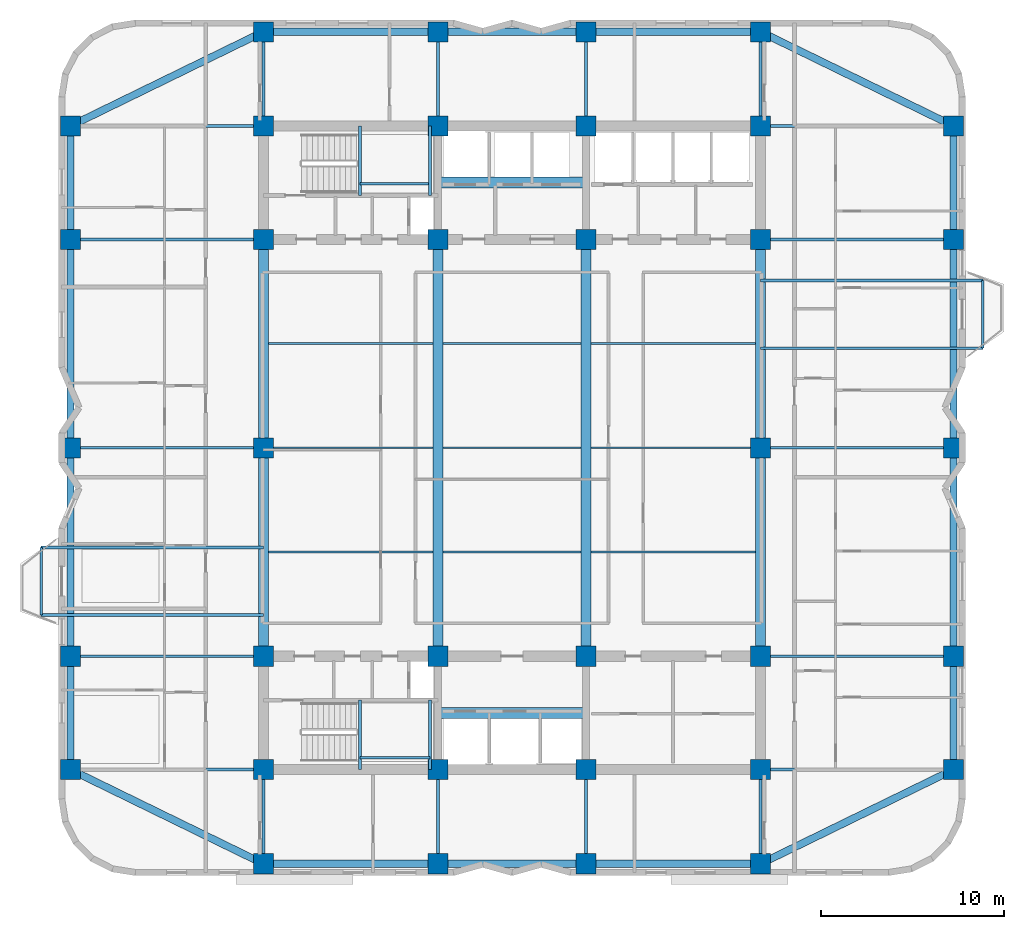
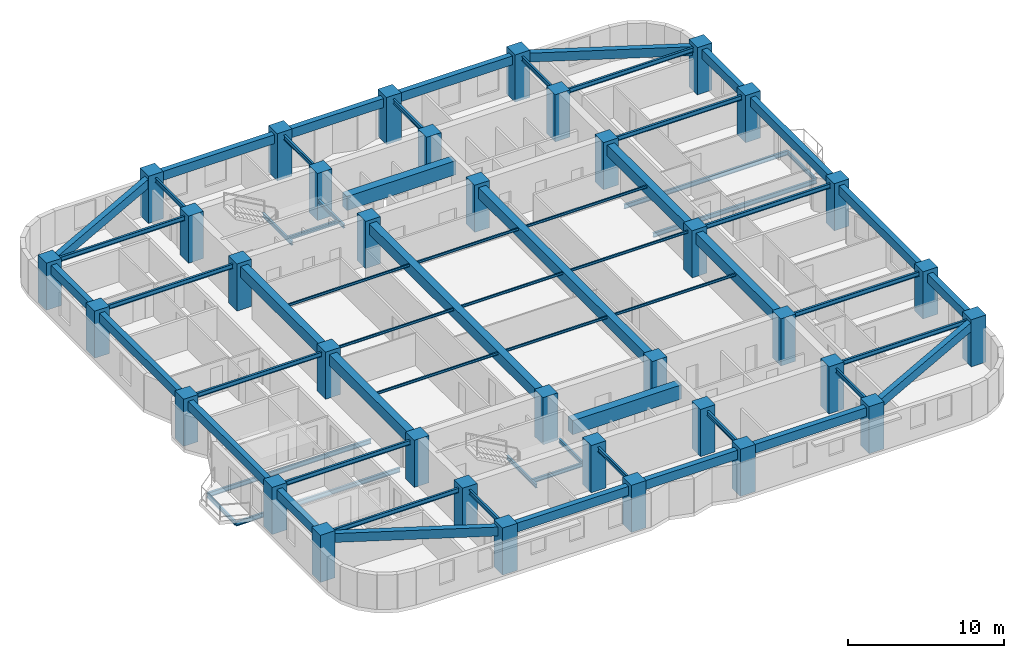
# One storey, part 1 of 10: 65 beams, 36 columns.
"""IFC4 building model written with IfcOpenShell, lengths in metres."""

from ifc_helpers import new_model, si_unit, direction, frame, origin, origin_2d, place, context, subcontext, project, spatial, rectangle, i_section, extrude, material, material_profile, profile_set, type_object, element, save


model = new_model("IFC4")

# Units and contexts
model_context = context("Model", 3, precision=1e-05, world=origin(), true_north=direction((0.0, 1.0)))
body_context = subcontext(model_context, "Body", "Model", "MODEL_VIEW")
ifc_project = project(units=[si_unit("LENGTHUNIT", "METRE"), si_unit("AREAUNIT", "SQUARE_METRE"), si_unit("VOLUMEUNIT", "CUBIC_METRE"), si_unit("PLANEANGLEUNIT", "RADIAN"), si_unit("MASSUNIT", "GRAM", prefix="KILO")], contexts=[model_context])

# Site, building, storey
site_placement = place(None, origin())
site = spatial("IfcSite", under=ifc_project, at=site_placement, CompositionType="ELEMENT")
building_placement = place(site_placement, origin())
building = spatial("IfcBuilding", under=site, at=building_placement, Name="Svetorya Sky Lyceum", CompositionType="ELEMENT")
storey_placement = place(building_placement, frame((0.0, 0.0, 95.699951171875)))
storey = spatial("IfcBuildingStorey", under=building, at=storey_placement, Name="L23", CompositionType="ELEMENT", Elevation=95.699951171875)

# Columns
ifc_material_1 = material(Name="Concrete C50/60", Category="concrete")
ifc_material_profile_1 = material_profile(ifc_material_1, rectangle(XDim=1.10009765625, YDim=1.10009765625, at=origin_2d()), Name="RC COL 1100x1100")
ifc_profile_set_1 = profile_set([ifc_material_profile_1], Name="Concrete C50/60")
column_type = type_object("IfcColumnType", Name="COL-RC-1100", PredefinedType="COLUMN", material=ifc_profile_set_1)
for number, where, z_axis, x_axis, name in (
    (1, (25.60009765625, 10.60009765625, 0.0), (0.0, 0.0, 1.0), (1.0, 0.0, 0.0), "L23 Core Column CS-11"),
    (2, (25.60009765625, 16.800048828125, 0.0), (0.0, 0.0, 1.0), (1.0, 0.0, 0.0), "L23 Core Column CS-12"),
    (3, (35.14990234375, 10.60009765625, 0.0), (0.0, 0.0, 1.0), (1.0, 0.0, 0.0), "L23 Core Column CS-21"),
    (4, (35.14990234375, 16.800048828125, 0.0), (0.0, 0.0, 1.0), (1.0, 0.0, 0.0), "L23 Core Column CS-22"),
    (5, (43.25, 10.60009765625, 0.0), (0.0, 0.0, 1.0), (1.0, 0.0, 0.0), "L23 Core Column CS-31"),
    (6, (43.25, 16.800048828125, 0.0), (0.0, 0.0, 1.0), (1.0, 0.0, 0.0), "L23 Core Column CS-32"),
    (7, (52.800048828125, 10.60009765625, 0.0), (0.0, 0.0, 1.0), (1.0, 0.0, 0.0), "L23 Core Column CS-41"),
    (8, (52.800048828125, 16.800048828125, 0.0), (0.0, 0.0, 1.0), (1.0, 0.0, 0.0), "L23 Core Column CS-42"),
    (9, (25.60009765625, 39.60009765625, 0.0), (0.0, 0.0, 1.0), (1.0, 0.0, 0.0), "L23 Core Column CN-11"),
    (10, (25.60009765625, 45.800048828125, 0.0), (0.0, 0.0, 1.0), (1.0, 0.0, 0.0), "L23 Core Column CN-12"),
    (11, (35.14990234375, 39.60009765625, 0.0), (0.0, 0.0, 1.0), (1.0, 0.0, 0.0), "L23 Core Column CN-21"),
    (12, (35.14990234375, 45.800048828125, 0.0), (0.0, 0.0, 1.0), (1.0, 0.0, 0.0), "L23 Core Column CN-22"),
    (13, (43.25, 39.60009765625, 0.0), (0.0, 0.0, 1.0), (1.0, 0.0, 0.0), "L23 Core Column CN-31"),
    (14, (43.25, 45.800048828125, 0.0), (0.0, 0.0, 1.0), (1.0, 0.0, 0.0), "L23 Core Column CN-32"),
    (15, (52.800048828125, 39.60009765625, 0.0), (0.0, 0.0, 1.0), (1.0, 0.0, 0.0), "L23 Core Column CN-41"),
    (16, (52.800048828125, 45.800048828125, 0.0), (0.0, 0.0, 1.0), (1.0, 0.0, 0.0), "L23 Core Column CN-42"),
    (17, (25.60009765625, 28.199951171875, 0.0), (0.0, 0.0, 1.0), (1.0, 0.0, 0.0), "L23 Core Column CM-W"),
    (18, (52.800048828125, 28.199951171875, 0.0), (0.0, 0.0, 1.0), (1.0, 0.0, 0.0), "L23 Core Column CM-E"),
    (19, (25.60009765625, 5.449951171875, 0.0), (0.0, 0.0, 1.0), (1.0, 0.0, 0.0), "L23 Perimeter Column S1"),
    (20, (25.60009765625, 50.949951171875, 0.0), (0.0, 0.0, 1.0), (1.0, 0.0, 0.0), "L23 Perimeter Column N1"),
    (21, (35.14990234375, 5.449951171875, 0.0), (0.0, 0.0, 1.0), (1.0, 0.0, 0.0), "L23 Perimeter Column S2"),
    (22, (35.14990234375, 50.949951171875, 0.0), (0.0, 0.0, 1.0), (1.0, 0.0, 0.0), "L23 Perimeter Column N2"),
    (23, (43.25, 5.449951171875, 0.0), (0.0, 0.0, 1.0), (1.0, 0.0, 0.0), "L23 Perimeter Column S3"),
    (24, (43.25, 50.949951171875, 0.0), (0.0, 0.0, 1.0), (1.0, 0.0, 0.0), "L23 Perimeter Column N3"),
    (25, (52.800048828125, 5.449951171875, 0.0), (0.0, 0.0, 1.0), (1.0, 0.0, 0.0), "L23 Perimeter Column S4"),
    (26, (52.800048828125, 50.949951171875, 0.0), (0.0, 0.0, 1.0), (1.0, 0.0, 0.0), "L23 Perimeter Column N4"),
    (27, (15.050048828125, 10.60009765625, 0.0), (0.0, 0.0, 1.0), (1.0, 0.0, 0.0), "L23 Perimeter Column W1"),
    (28, (63.35009765625, 10.60009765625, 0.0), (0.0, 0.0, 1.0), (1.0, 0.0, 0.0), "L23 Perimeter Column E1"),
    (29, (15.050048828125, 16.800048828125, 0.0), (0.0, 0.0, 1.0), (1.0, 0.0, 0.0), "L23 Perimeter Column W2"),
    (30, (63.35009765625, 16.800048828125, 0.0), (0.0, 0.0, 1.0), (1.0, 0.0, 0.0), "L23 Perimeter Column E2"),
    (31, (15.050048828125, 28.199951171875, 0.0), (0.0, 0.0, 1.0), (1.0, 0.0, 0.0), "L23 Perimeter Column W3"),
    (32, (63.35009765625, 28.199951171875, 0.0), (0.0, 0.0, 1.0), (1.0, 0.0, 0.0), "L23 Perimeter Column E3"),
    (33, (15.050048828125, 39.60009765625, 0.0), (0.0, 0.0, 1.0), (1.0, 0.0, 0.0), "L23 Perimeter Column W4"),
    (34, (63.35009765625, 39.60009765625, 0.0), (0.0, 0.0, 1.0), (1.0, 0.0, 0.0), "L23 Perimeter Column E4"),
    (35, (15.050048828125, 45.800048828125, 0.0), (0.0, 0.0, 1.0), (1.0, 0.0, 0.0), "L23 Perimeter Column W5"),
    (36, (63.35009765625, 45.800048828125, 0.0), (0.0, 0.0, 1.0), (1.0, 0.0, 0.0), "L23 Perimeter Column E5"),
):
    element("IfcColumn", number, at=place(storey_placement, frame(where, z_axis=z_axis, x_axis=x_axis)), inside=storey, type_object=column_type, Name=name, PredefinedType="COLUMN", context=body_context, shape_type="SweptSolid", body=[
        extrude(rectangle(XDim=1.10009765625, YDim=1.10009765625, at=origin_2d()), origin(), (0.0, 0.0, 1.0), 3.699951171875),
    ])

# Beams
ifc_material_2 = material(Name="Concrete C60/75", Category="concrete")
ifc_material_profile_2 = material_profile(ifc_material_2, rectangle(XDim=0.60009765625, YDim=1.10009765625, at=origin_2d()), Name="RC COUPLING 600x1100")
ifc_profile_set_2 = profile_set([ifc_material_profile_2], Name="Concrete C60/75")
beam_type_1 = type_object("IfcBeamType", Name="BM-CPL-1100", PredefinedType="LINTEL", material=ifc_profile_set_2)
for number, where, z_axis, x_axis, name in (
    (37, (35.14990234375, 13.699951171875, 2.8701171875), (1.0, 0.0, 0.0), (0.0, 1.0, 0.0), "L23 SC Core Coupling Beam"),
    (38, (35.14990234375, 42.699951171875, 2.8701171875), (1.0, 0.0, 0.0), (0.0, 1.0, 0.0), "L23 NC Core Coupling Beam"),
):
    element("IfcBeam", number, at=place(storey_placement, frame(where, z_axis=z_axis, x_axis=x_axis)), inside=storey, type_object=beam_type_1, Name=name, PredefinedType="LINTEL", context=body_context, shape_type="SweptSolid", body=[
        extrude(rectangle(XDim=0.60009765625, YDim=1.10009765625, at=origin_2d()), origin(), (0.0, 0.0, 1.0), 8.10009765625),
    ])
ifc_material_profile_3 = material_profile(ifc_material_1, rectangle(XDim=0.550048828125, YDim=0.85009765625, at=origin_2d()), Name="RC BEAM 550x850")
ifc_profile_set_3 = profile_set([ifc_material_profile_3], Name="Concrete C50/60")
beam_type_2 = type_object("IfcBeamType", Name="BM-RC-850", PredefinedType="BEAM", material=ifc_profile_set_3)
beam_1_placement = place(storey_placement, frame((25.60009765625, 16.800048828125, 2.9951171875), z_axis=(0.0, 1.0, 0.0), x_axis=(-1.0, 0.0, 0.0)))
element("IfcBeam", 39, at=beam_1_placement, inside=storey, type_object=beam_type_2, Name="L23 Central Bay Primary Girder CG-1A", PredefinedType="BEAM", context=body_context, shape_type="SweptSolid", body=[
    extrude(rectangle(XDim=0.550048828125, YDim=0.85009765625, at=origin_2d()), origin(), (0.0, 0.0, 1.0), 11.39990234375),
])
beam_2_placement = place(storey_placement, frame((25.60009765625, 28.199951171875, 2.9951171875), z_axis=(0.0, 1.0, 0.0), x_axis=(-1.0, 0.0, 0.0)))
element("IfcBeam", 40, at=beam_2_placement, inside=storey, type_object=beam_type_2, Name="L23 Central Bay Primary Girder CG-1B", PredefinedType="BEAM", context=body_context, shape_type="SweptSolid", body=[
    extrude(rectangle(XDim=0.550048828125, YDim=0.85009765625, at=origin_2d()), origin(), (0.0, 0.0, 1.0), 11.400146484375),
])
for number, where, z_axis, x_axis, name in (
    (41, (35.14990234375, 16.800048828125, 2.9951171875), (0.0, 1.0, 0.0), (-1.0, 0.0, 0.0), "L23 Central Bay Primary Girder CG-2"),
    (42, (43.25, 16.800048828125, 2.9951171875), (0.0, 1.0, 0.0), (-1.0, 0.0, 0.0), "L23 Central Bay Primary Girder CG-3"),
):
    element("IfcBeam", number, at=place(storey_placement, frame(where, z_axis=z_axis, x_axis=x_axis)), inside=storey, type_object=beam_type_2, Name=name, PredefinedType="BEAM", context=body_context, shape_type="SweptSolid", body=[
        extrude(rectangle(XDim=0.550048828125, YDim=0.85009765625, at=origin_2d()), origin(), (0.0, 0.0, 1.0), 22.800048828125),
    ])
beam_3_placement = place(storey_placement, frame((52.800048828125, 16.800048828125, 2.9951171875), z_axis=(0.0, 1.0, 0.0), x_axis=(-1.0, 0.0, 0.0)))
element("IfcBeam", 43, at=beam_3_placement, inside=storey, type_object=beam_type_2, Name="L23 Central Bay Primary Girder CG-4A", PredefinedType="BEAM", context=body_context, shape_type="SweptSolid", body=[
    extrude(rectangle(XDim=0.550048828125, YDim=0.85009765625, at=origin_2d()), origin(), (0.0, 0.0, 1.0), 11.39990234375),
])
beam_4_placement = place(storey_placement, frame((52.800048828125, 28.199951171875, 2.9951171875), z_axis=(0.0, 1.0, 0.0), x_axis=(-1.0, 0.0, 0.0)))
element("IfcBeam", 44, at=beam_4_placement, inside=storey, type_object=beam_type_2, Name="L23 Central Bay Primary Girder CG-4B", PredefinedType="BEAM", context=body_context, shape_type="SweptSolid", body=[
    extrude(rectangle(XDim=0.550048828125, YDim=0.85009765625, at=origin_2d()), origin(), (0.0, 0.0, 1.0), 11.400146484375),
])
ifc_material_profile_4 = material_profile(ifc_material_1, rectangle(XDim=0.39990234375, YDim=0.699951171875, at=origin_2d()), Name="RC SPANDREL 400x700")
ifc_profile_set_4 = profile_set([ifc_material_profile_4], Name="Concrete C50/60")
beam_type_3 = type_object("IfcBeamType", Name="BM-SPN-700", PredefinedType="SPANDREL", material=ifc_profile_set_4)
beam_5_placement = place(storey_placement, frame((25.60009765625, 5.449951171875, 3.070068359375), z_axis=(1.0, 0.0, 0.0), x_axis=(0.0, 1.0, 0.0)))
element("IfcBeam", 45, at=beam_5_placement, inside=storey, type_object=beam_type_3, Name="L23 South Spandrel 1", PredefinedType="SPANDREL", context=body_context, shape_type="SweptSolid", body=[
    extrude(rectangle(XDim=0.39990234375, YDim=0.699951171875, at=origin_2d()), origin(), (0.0, 0.0, 1.0), 9.5498046875),
])
beam_6_placement = place(storey_placement, frame((35.14990234375, 5.449951171875, 3.070068359375), z_axis=(1.0, 0.0, 0.0), x_axis=(0.0, 1.0, 0.0)))
element("IfcBeam", 46, at=beam_6_placement, inside=storey, type_object=beam_type_3, Name="L23 South Spandrel 2", PredefinedType="SPANDREL", context=body_context, shape_type="SweptSolid", body=[
    extrude(rectangle(XDim=0.39990234375, YDim=0.699951171875, at=origin_2d()), origin(), (0.0, 0.0, 1.0), 8.10009765625),
])
beam_7_placement = place(storey_placement, frame((43.25, 5.449951171875, 3.070068359375), z_axis=(1.0, 0.0, 0.0), x_axis=(0.0, 1.0, 0.0)))
element("IfcBeam", 47, at=beam_7_placement, inside=storey, type_object=beam_type_3, Name="L23 South Spandrel 3", PredefinedType="SPANDREL", context=body_context, shape_type="SweptSolid", body=[
    extrude(rectangle(XDim=0.39990234375, YDim=0.699951171875, at=origin_2d()), origin(), (0.0, 0.0, 1.0), 9.550048828125),
])
beam_8_placement = place(storey_placement, frame((25.60009765625, 50.949951171875, 3.070068359375), z_axis=(1.0, 0.0, 0.0), x_axis=(0.0, 1.0, 0.0)))
element("IfcBeam", 48, at=beam_8_placement, inside=storey, type_object=beam_type_3, Name="L23 North Spandrel 1", PredefinedType="SPANDREL", context=body_context, shape_type="SweptSolid", body=[
    extrude(rectangle(XDim=0.39990234375, YDim=0.699951171875, at=origin_2d()), origin(), (0.0, 0.0, 1.0), 9.5498046875),
])
beam_9_placement = place(storey_placement, frame((35.14990234375, 50.949951171875, 3.070068359375), z_axis=(1.0, 0.0, 0.0), x_axis=(0.0, 1.0, 0.0)))
element("IfcBeam", 49, at=beam_9_placement, inside=storey, type_object=beam_type_3, Name="L23 North Spandrel 2", PredefinedType="SPANDREL", context=body_context, shape_type="SweptSolid", body=[
    extrude(rectangle(XDim=0.39990234375, YDim=0.699951171875, at=origin_2d()), origin(), (0.0, 0.0, 1.0), 8.10009765625),
])
beam_10_placement = place(storey_placement, frame((43.25, 50.949951171875, 3.070068359375), z_axis=(1.0, 0.0, 0.0), x_axis=(0.0, 1.0, 0.0)))
element("IfcBeam", 50, at=beam_10_placement, inside=storey, type_object=beam_type_3, Name="L23 North Spandrel 3", PredefinedType="SPANDREL", context=body_context, shape_type="SweptSolid", body=[
    extrude(rectangle(XDim=0.39990234375, YDim=0.699951171875, at=origin_2d()), origin(), (0.0, 0.0, 1.0), 9.550048828125),
])
for number, where, z_axis, x_axis, name in (
    (51, (25.60009765625, 5.449951171875, 3.070068359375), (-0.898641495694, 0.438683783854, 0.0), (-0.438683783854, -0.898641495694, 0.0), "L23 Corner Spandrel 1"),
    (52, (52.800048828125, 5.449951171875, 3.070068359375), (0.898641495694, 0.438683783854, 0.0), (-0.438683783854, 0.898641495694, 0.0), "L23 Corner Spandrel 2"),
    (53, (63.35009765625, 45.800048828125, 3.070068359375), (-0.898649693653, 0.438666989978, 0.0), (-0.438666989978, -0.898649693653, 0.0), "L23 Corner Spandrel 3"),
    (54, (15.050048828125, 45.800048828125, 3.070068359375), (0.898649693653, 0.438666989978, 0.0), (-0.438666989978, 0.898649693653, 0.0), "L23 Corner Spandrel 4"),
):
    element("IfcBeam", number, at=place(storey_placement, frame(where, z_axis=z_axis, x_axis=x_axis)), inside=storey, type_object=beam_type_3, Name=name, PredefinedType="SPANDREL", context=body_context, shape_type="SweptSolid", body=[
        extrude(rectangle(XDim=0.39990234375, YDim=0.699951171875, at=origin_2d()), origin(), (0.0, 0.0, 1.0), 11.739990234375),
    ])
beam_11_placement = place(storey_placement, frame((15.050048828125, 10.60009765625, 3.070068359375), z_axis=(0.0, 1.0, 0.0), x_axis=(-1.0, 0.0, 0.0)))
element("IfcBeam", 55, at=beam_11_placement, inside=storey, type_object=beam_type_3, Name="L23 West Spandrel 1", PredefinedType="SPANDREL", context=body_context, shape_type="SweptSolid", body=[
    extrude(rectangle(XDim=0.39990234375, YDim=0.699951171875, at=origin_2d()), origin(), (0.0, 0.0, 1.0), 6.199951171875),
])
beam_12_placement = place(storey_placement, frame((15.050048828125, 16.800048828125, 3.070068359375), z_axis=(0.0, 1.0, 0.0), x_axis=(-1.0, 0.0, 0.0)))
element("IfcBeam", 56, at=beam_12_placement, inside=storey, type_object=beam_type_3, Name="L23 West Spandrel 2", PredefinedType="SPANDREL", context=body_context, shape_type="SweptSolid", body=[
    extrude(rectangle(XDim=0.39990234375, YDim=0.699951171875, at=origin_2d()), origin(), (0.0, 0.0, 1.0), 11.39990234375),
])
beam_13_placement = place(storey_placement, frame((15.050048828125, 28.199951171875, 3.070068359375), z_axis=(0.0, 1.0, 0.0), x_axis=(-1.0, 0.0, 0.0)))
element("IfcBeam", 57, at=beam_13_placement, inside=storey, type_object=beam_type_3, Name="L23 West Spandrel 3", PredefinedType="SPANDREL", context=body_context, shape_type="SweptSolid", body=[
    extrude(rectangle(XDim=0.39990234375, YDim=0.699951171875, at=origin_2d()), origin(), (0.0, 0.0, 1.0), 11.400146484375),
])
for number, where, z_axis, x_axis, name in (
    (58, (15.050048828125, 39.60009765625, 3.070068359375), (0.0, 1.0, 0.0), (-1.0, 0.0, 0.0), "L23 West Spandrel 4"),
    (59, (63.35009765625, 10.60009765625, 3.070068359375), (0.0, 1.0, 0.0), (-1.0, 0.0, 0.0), "L23 East Spandrel 1"),
):
    element("IfcBeam", number, at=place(storey_placement, frame(where, z_axis=z_axis, x_axis=x_axis)), inside=storey, type_object=beam_type_3, Name=name, PredefinedType="SPANDREL", context=body_context, shape_type="SweptSolid", body=[
        extrude(rectangle(XDim=0.39990234375, YDim=0.699951171875, at=origin_2d()), origin(), (0.0, 0.0, 1.0), 6.199951171875),
    ])
beam_14_placement = place(storey_placement, frame((63.35009765625, 16.800048828125, 3.070068359375), z_axis=(0.0, 1.0, 0.0), x_axis=(-1.0, 0.0, 0.0)))
element("IfcBeam", 60, at=beam_14_placement, inside=storey, type_object=beam_type_3, Name="L23 East Spandrel 2", PredefinedType="SPANDREL", context=body_context, shape_type="SweptSolid", body=[
    extrude(rectangle(XDim=0.39990234375, YDim=0.699951171875, at=origin_2d()), origin(), (0.0, 0.0, 1.0), 11.39990234375),
])
beam_15_placement = place(storey_placement, frame((63.35009765625, 28.199951171875, 3.070068359375), z_axis=(0.0, 1.0, 0.0), x_axis=(-1.0, 0.0, 0.0)))
element("IfcBeam", 61, at=beam_15_placement, inside=storey, type_object=beam_type_3, Name="L23 East Spandrel 3", PredefinedType="SPANDREL", context=body_context, shape_type="SweptSolid", body=[
    extrude(rectangle(XDim=0.39990234375, YDim=0.699951171875, at=origin_2d()), origin(), (0.0, 0.0, 1.0), 11.400146484375),
])
beam_16_placement = place(storey_placement, frame((63.35009765625, 39.60009765625, 3.070068359375), z_axis=(0.0, 1.0, 0.0), x_axis=(-1.0, 0.0, 0.0)))
element("IfcBeam", 62, at=beam_16_placement, inside=storey, type_object=beam_type_3, Name="L23 East Spandrel 4", PredefinedType="SPANDREL", context=body_context, shape_type="SweptSolid", body=[
    extrude(rectangle(XDim=0.39990234375, YDim=0.699951171875, at=origin_2d()), origin(), (0.0, 0.0, 1.0), 6.199951171875),
])
ifc_material_3 = material(Name="Steel S355", Category="steel")
ifc_material_profile_5 = material_profile(ifc_material_3, i_section(OverallWidth=0.10009765625, OverallDepth=0.199951171875, WebThickness=0.005615234375, FlangeThickness=0.008544921875, at=origin_2d()), Name="GOST 20B1")
ifc_profile_set_5 = profile_set([ifc_material_profile_5], Name="Steel S355")
beam_type_4 = type_object("IfcBeamType", Name="BM-STL-20B1", PredefinedType="JOIST", material=ifc_profile_set_5)
beam_17_placement = place(storey_placement, frame((25.875, 22.5, 3.320068359375), z_axis=(1.0, 0.0, 0.0), x_axis=(0.0, 1.0, 0.0)))
element("IfcBeam", 63, at=beam_17_placement, inside=storey, type_object=beam_type_4, Name="L23 Central Floor Joist CJ-1.1", PredefinedType="JOIST", context=body_context, shape_type="SweptSolid", body=[
    extrude(i_section(OverallWidth=0.10009765625, OverallDepth=0.199951171875, WebThickness=0.005615234375, FlangeThickness=0.008544921875, at=origin_2d()), origin(), (0.0, 0.0, 1.0), 9.0),
])
beam_18_placement = place(storey_placement, frame((35.425048828125, 22.5, 3.320068359375), z_axis=(1.0, 0.0, 0.0), x_axis=(0.0, 1.0, 0.0)))
element("IfcBeam", 64, at=beam_18_placement, inside=storey, type_object=beam_type_4, Name="L23 Central Floor Joist CJ-1.2", PredefinedType="JOIST", context=body_context, shape_type="SweptSolid", body=[
    extrude(i_section(OverallWidth=0.10009765625, OverallDepth=0.199951171875, WebThickness=0.005615234375, FlangeThickness=0.008544921875, at=origin_2d()), origin(), (0.0, 0.0, 1.0), 7.550048828125),
])
for number, where, z_axis, x_axis, name in (
    (65, (43.52490234375, 22.5, 3.320068359375), (1.0, 0.0, 0.0), (0.0, 1.0, 0.0), "L23 Central Floor Joist CJ-1.3"),
    (66, (25.875, 28.199951171875, 3.320068359375), (1.0, 0.0, 0.0), (0.0, 1.0, 0.0), "L23 Central Floor Joist CJ-2.1"),
):
    element("IfcBeam", number, at=place(storey_placement, frame(where, z_axis=z_axis, x_axis=x_axis)), inside=storey, type_object=beam_type_4, Name=name, PredefinedType="JOIST", context=body_context, shape_type="SweptSolid", body=[
        extrude(i_section(OverallWidth=0.10009765625, OverallDepth=0.199951171875, WebThickness=0.005615234375, FlangeThickness=0.008544921875, at=origin_2d()), origin(), (0.0, 0.0, 1.0), 9.0),
    ])
beam_19_placement = place(storey_placement, frame((35.425048828125, 28.199951171875, 3.320068359375), z_axis=(1.0, 0.0, 0.0), x_axis=(0.0, 1.0, 0.0)))
element("IfcBeam", 67, at=beam_19_placement, inside=storey, type_object=beam_type_4, Name="L23 Central Floor Joist CJ-2.2", PredefinedType="JOIST", context=body_context, shape_type="SweptSolid", body=[
    extrude(i_section(OverallWidth=0.10009765625, OverallDepth=0.199951171875, WebThickness=0.005615234375, FlangeThickness=0.008544921875, at=origin_2d()), origin(), (0.0, 0.0, 1.0), 7.550048828125),
])
for number, where, z_axis, x_axis, name in (
    (68, (43.52490234375, 28.199951171875, 3.320068359375), (1.0, 0.0, 0.0), (0.0, 1.0, 0.0), "L23 Central Floor Joist CJ-2.3"),
    (69, (25.875, 33.89990234375, 3.320068359375), (1.0, 0.0, 0.0), (0.0, 1.0, 0.0), "L23 Central Floor Joist CJ-3.1"),
):
    element("IfcBeam", number, at=place(storey_placement, frame(where, z_axis=z_axis, x_axis=x_axis)), inside=storey, type_object=beam_type_4, Name=name, PredefinedType="JOIST", context=body_context, shape_type="SweptSolid", body=[
        extrude(i_section(OverallWidth=0.10009765625, OverallDepth=0.199951171875, WebThickness=0.005615234375, FlangeThickness=0.008544921875, at=origin_2d()), origin(), (0.0, 0.0, 1.0), 9.0),
    ])
beam_20_placement = place(storey_placement, frame((35.425048828125, 33.89990234375, 3.320068359375), z_axis=(1.0, 0.0, 0.0), x_axis=(0.0, 1.0, 0.0)))
element("IfcBeam", 70, at=beam_20_placement, inside=storey, type_object=beam_type_4, Name="L23 Central Floor Joist CJ-3.2", PredefinedType="JOIST", context=body_context, shape_type="SweptSolid", body=[
    extrude(i_section(OverallWidth=0.10009765625, OverallDepth=0.199951171875, WebThickness=0.005615234375, FlangeThickness=0.008544921875, at=origin_2d()), origin(), (0.0, 0.0, 1.0), 7.550048828125),
])
beam_21_placement = place(storey_placement, frame((43.52490234375, 33.89990234375, 3.320068359375), z_axis=(1.0, 0.0, 0.0), x_axis=(0.0, 1.0, 0.0)))
element("IfcBeam", 71, at=beam_21_placement, inside=storey, type_object=beam_type_4, Name="L23 Central Floor Joist CJ-3.3", PredefinedType="JOIST", context=body_context, shape_type="SweptSolid", body=[
    extrude(i_section(OverallWidth=0.10009765625, OverallDepth=0.199951171875, WebThickness=0.005615234375, FlangeThickness=0.008544921875, at=origin_2d()), origin(), (0.0, 0.0, 1.0), 9.0),
])
ifc_material_profile_6 = material_profile(ifc_material_3, i_section(OverallWidth=0.14990234375, OverallDepth=0.299072265625, WebThickness=0.006591796875, FlangeThickness=0.010498046875, at=origin_2d()), Name="GOST 30B2")
ifc_profile_set_6 = profile_set([ifc_material_profile_6], Name="Steel S355")
beam_type_5 = type_object("IfcBeamType", Name="BM-STL-30B2", PredefinedType="JOIST", material=ifc_profile_set_6)
beam_22_placement = place(storey_placement, frame((13.449951171875, 19.050048828125, -0.454345703125), z_axis=(0.0, 1.0, 0.0), x_axis=(-1.0, 0.0, 0.0)))
element("IfcBeam", 72, at=beam_22_placement, inside=storey, type_object=beam_type_5, Name="L23 Balcony Edge Tie BAL-W1", PredefinedType="JOIST", context=body_context, shape_type="SweptSolid", body=[
    extrude(i_section(OverallWidth=0.14990234375, OverallDepth=0.299072265625, WebThickness=0.006591796875, FlangeThickness=0.010498046875, at=origin_2d()), origin(), (0.0, 0.0, 1.0), 3.699951171875),
])
beam_23_placement = place(storey_placement, frame((64.949951171875, 33.64990234375, -0.454345703125), z_axis=(0.0, 1.0, 0.0), x_axis=(-1.0, 0.0, 0.0)))
element("IfcBeam", 73, at=beam_23_placement, inside=storey, type_object=beam_type_5, Name="L23 Balcony Edge Tie BAL-E1", PredefinedType="JOIST", context=body_context, shape_type="SweptSolid", body=[
    extrude(i_section(OverallWidth=0.14990234375, OverallDepth=0.299072265625, WebThickness=0.006591796875, FlangeThickness=0.010498046875, at=origin_2d()), origin(), (0.0, 0.0, 1.0), 3.7001953125),
])
for number, where, z_axis, x_axis, name in (
    (74, (30.8798828125, 10.60009765625, 1.50048828125), (0.0, 1.0, 0.0), (-1.0, 0.0, 0.0), "L23 Stair ST-S Half-Landing Support Beam 27.1"),
    (75, (34.719970703125, 10.60009765625, 1.50048828125), (0.0, 1.0, 0.0), (-1.0, 0.0, 0.0), "L23 Stair ST-S Half-Landing Support Beam 27.2"),
):
    element("IfcBeam", number, at=place(storey_placement, frame(where, z_axis=z_axis, x_axis=x_axis)), inside=storey, type_object=beam_type_5, Name=name, PredefinedType="JOIST", context=body_context, shape_type="SweptSolid", body=[
        extrude(i_section(OverallWidth=0.14990234375, OverallDepth=0.299072265625, WebThickness=0.006591796875, FlangeThickness=0.010498046875, at=origin_2d()), origin(), (0.0, 0.0, 1.0), 3.7998046875),
    ])
beam_24_placement = place(storey_placement, frame((30.8798828125, 11.25, 1.50048828125), z_axis=(1.0, 0.0, 0.0), x_axis=(0.0, 1.0, 0.0)))
element("IfcBeam", 76, at=beam_24_placement, inside=storey, type_object=beam_type_5, Name="L23 Stair ST-S Half-Landing Cross Tie 27", PredefinedType="JOIST", context=body_context, shape_type="SweptSolid", body=[
    extrude(i_section(OverallWidth=0.14990234375, OverallDepth=0.299072265625, WebThickness=0.006591796875, FlangeThickness=0.010498046875, at=origin_2d()), origin(), (0.0, 0.0, 1.0), 3.840087890625),
])
for number, where, z_axis, x_axis, name in (
    (77, (30.8798828125, 42.0, 1.50048828125), (0.0, 1.0, 0.0), (-1.0, 0.0, 0.0), "L23 Stair ST-N Half-Landing Support Beam 27.1"),
    (78, (34.719970703125, 42.0, 1.50048828125), (0.0, 1.0, 0.0), (-1.0, 0.0, 0.0), "L23 Stair ST-N Half-Landing Support Beam 27.2"),
):
    element("IfcBeam", number, at=place(storey_placement, frame(where, z_axis=z_axis, x_axis=x_axis)), inside=storey, type_object=beam_type_5, Name=name, PredefinedType="JOIST", context=body_context, shape_type="SweptSolid", body=[
        extrude(i_section(OverallWidth=0.14990234375, OverallDepth=0.299072265625, WebThickness=0.006591796875, FlangeThickness=0.010498046875, at=origin_2d()), origin(), (0.0, 0.0, 1.0), 3.800048828125),
    ])
beam_25_placement = place(storey_placement, frame((30.8798828125, 42.64990234375, 1.50048828125), z_axis=(1.0, 0.0, 0.0), x_axis=(0.0, 1.0, 0.0)))
element("IfcBeam", 79, at=beam_25_placement, inside=storey, type_object=beam_type_5, Name="L23 Stair ST-N Half-Landing Cross Tie 27", PredefinedType="JOIST", context=body_context, shape_type="SweptSolid", body=[
    extrude(i_section(OverallWidth=0.14990234375, OverallDepth=0.299072265625, WebThickness=0.006591796875, FlangeThickness=0.010498046875, at=origin_2d()), origin(), (0.0, 0.0, 1.0), 3.840087890625),
])
ifc_material_profile_7 = material_profile(ifc_material_3, i_section(OverallWidth=0.155029296875, OverallDepth=0.34912109375, WebThickness=0.007080078125, FlangeThickness=0.011474609375, at=origin_2d()), Name="GOST 35B2")
ifc_profile_set_7 = profile_set([ifc_material_profile_7], Name="Steel S355")
beam_type_6 = type_object("IfcBeamType", Name="BM-STL-35B2", PredefinedType="JOIST", material=ifc_profile_set_7)
for number, where, z_axis, x_axis, name in (
    (80, (25.60009765625, 19.050048828125, -0.454345703125), (-1.0, 0.0, 0.0), (0.0, -1.0, 0.0), "L23 Balcony Cantilever Beam BAL-W1-1"),
    (81, (25.60009765625, 22.75, -0.454345703125), (-1.0, 0.0, 0.0), (0.0, -1.0, 0.0), "L23 Balcony Cantilever Beam BAL-W1-2"),
):
    element("IfcBeam", number, at=place(storey_placement, frame(where, z_axis=z_axis, x_axis=x_axis)), inside=storey, type_object=beam_type_6, Name=name, PredefinedType="JOIST", context=body_context, shape_type="SweptSolid", body=[
        extrude(i_section(OverallWidth=0.155029296875, OverallDepth=0.34912109375, WebThickness=0.007080078125, FlangeThickness=0.011474609375, at=origin_2d()), origin(), (0.0, 0.0, 1.0), 12.150146484375),
    ])
for number, where, z_axis, x_axis, name in (
    (82, (52.800048828125, 33.64990234375, -0.454345703125), (1.0, 0.0, 0.0), (0.0, 1.0, 0.0), "L23 Balcony Cantilever Beam BAL-E1-1"),
    (83, (52.800048828125, 37.35009765625, -0.454345703125), (1.0, 0.0, 0.0), (0.0, 1.0, 0.0), "L23 Balcony Cantilever Beam BAL-E1-2"),
):
    element("IfcBeam", number, at=place(storey_placement, frame(where, z_axis=z_axis, x_axis=x_axis)), inside=storey, type_object=beam_type_6, Name=name, PredefinedType="JOIST", context=body_context, shape_type="SweptSolid", body=[
        extrude(i_section(OverallWidth=0.155029296875, OverallDepth=0.34912109375, WebThickness=0.007080078125, FlangeThickness=0.011474609375, at=origin_2d()), origin(), (0.0, 0.0, 1.0), 12.14990234375),
    ])
for number, where, z_axis, x_axis, name in (
    (84, (15.050048828125, 10.60009765625, 3.24560546875), (1.0, 0.0, 0.0), (0.0, 1.0, 0.0), "L23 West Wing Floor Joist W1"),
    (85, (52.800048828125, 10.60009765625, 3.24560546875), (1.0, 0.0, 0.0), (0.0, 1.0, 0.0), "L23 East Wing Floor Joist E1"),
    (86, (15.050048828125, 16.800048828125, 3.24560546875), (1.0, 0.0, 0.0), (0.0, 1.0, 0.0), "L23 West Wing Floor Joist W2"),
    (87, (52.800048828125, 16.800048828125, 3.24560546875), (1.0, 0.0, 0.0), (0.0, 1.0, 0.0), "L23 East Wing Floor Joist E2"),
    (88, (15.050048828125, 28.199951171875, 3.24560546875), (1.0, 0.0, 0.0), (0.0, 1.0, 0.0), "L23 West Wing Floor Joist W3"),
    (89, (52.800048828125, 28.199951171875, 3.24560546875), (1.0, 0.0, 0.0), (0.0, 1.0, 0.0), "L23 East Wing Floor Joist E3"),
    (90, (15.050048828125, 39.60009765625, 3.24560546875), (1.0, 0.0, 0.0), (0.0, 1.0, 0.0), "L23 West Wing Floor Joist W4"),
    (91, (52.800048828125, 39.60009765625, 3.24560546875), (1.0, 0.0, 0.0), (0.0, 1.0, 0.0), "L23 East Wing Floor Joist E4"),
    (92, (15.050048828125, 45.800048828125, 3.24560546875), (1.0, 0.0, 0.0), (0.0, 1.0, 0.0), "L23 West Wing Floor Joist W5"),
    (93, (52.800048828125, 45.800048828125, 3.24560546875), (1.0, 0.0, 0.0), (0.0, 1.0, 0.0), "L23 East Wing Floor Joist E5"),
):
    element("IfcBeam", number, at=place(storey_placement, frame(where, z_axis=z_axis, x_axis=x_axis)), inside=storey, type_object=beam_type_6, Name=name, PredefinedType="JOIST", context=body_context, shape_type="SweptSolid", body=[
        extrude(i_section(OverallWidth=0.155029296875, OverallDepth=0.34912109375, WebThickness=0.007080078125, FlangeThickness=0.011474609375, at=origin_2d()), origin(), (0.0, 0.0, 1.0), 10.550048828125),
    ])
beam_26_placement = place(storey_placement, frame((25.60009765625, 5.449951171875, 3.24560546875), z_axis=(0.0, 1.0, 0.0), x_axis=(-1.0, 0.0, 0.0)))
element("IfcBeam", 94, at=beam_26_placement, inside=storey, type_object=beam_type_6, Name="L23 South Bay Floor Girder S1", PredefinedType="JOIST", context=body_context, shape_type="SweptSolid", body=[
    extrude(i_section(OverallWidth=0.155029296875, OverallDepth=0.34912109375, WebThickness=0.007080078125, FlangeThickness=0.011474609375, at=origin_2d()), origin(), (0.0, 0.0, 1.0), 5.150146484375),
])
beam_27_placement = place(storey_placement, frame((25.60009765625, 45.800048828125, 3.24560546875), z_axis=(0.0, 1.0, 0.0), x_axis=(-1.0, 0.0, 0.0)))
element("IfcBeam", 95, at=beam_27_placement, inside=storey, type_object=beam_type_6, Name="L23 North Bay Floor Girder N1", PredefinedType="JOIST", context=body_context, shape_type="SweptSolid", body=[
    extrude(i_section(OverallWidth=0.155029296875, OverallDepth=0.34912109375, WebThickness=0.007080078125, FlangeThickness=0.011474609375, at=origin_2d()), origin(), (0.0, 0.0, 1.0), 5.14990234375),
])
beam_28_placement = place(storey_placement, frame((35.14990234375, 5.449951171875, 3.24560546875), z_axis=(0.0, 1.0, 0.0), x_axis=(-1.0, 0.0, 0.0)))
element("IfcBeam", 96, at=beam_28_placement, inside=storey, type_object=beam_type_6, Name="L23 South Bay Floor Girder S2", PredefinedType="JOIST", context=body_context, shape_type="SweptSolid", body=[
    extrude(i_section(OverallWidth=0.155029296875, OverallDepth=0.34912109375, WebThickness=0.007080078125, FlangeThickness=0.011474609375, at=origin_2d()), origin(), (0.0, 0.0, 1.0), 5.150146484375),
])
beam_29_placement = place(storey_placement, frame((35.14990234375, 45.800048828125, 3.24560546875), z_axis=(0.0, 1.0, 0.0), x_axis=(-1.0, 0.0, 0.0)))
element("IfcBeam", 97, at=beam_29_placement, inside=storey, type_object=beam_type_6, Name="L23 North Bay Floor Girder N2", PredefinedType="JOIST", context=body_context, shape_type="SweptSolid", body=[
    extrude(i_section(OverallWidth=0.155029296875, OverallDepth=0.34912109375, WebThickness=0.007080078125, FlangeThickness=0.011474609375, at=origin_2d()), origin(), (0.0, 0.0, 1.0), 5.14990234375),
])
beam_30_placement = place(storey_placement, frame((43.25, 5.449951171875, 3.24560546875), z_axis=(0.0, 1.0, 0.0), x_axis=(-1.0, 0.0, 0.0)))
element("IfcBeam", 98, at=beam_30_placement, inside=storey, type_object=beam_type_6, Name="L23 South Bay Floor Girder S3", PredefinedType="JOIST", context=body_context, shape_type="SweptSolid", body=[
    extrude(i_section(OverallWidth=0.155029296875, OverallDepth=0.34912109375, WebThickness=0.007080078125, FlangeThickness=0.011474609375, at=origin_2d()), origin(), (0.0, 0.0, 1.0), 5.150146484375),
])
beam_31_placement = place(storey_placement, frame((43.25, 45.800048828125, 3.24560546875), z_axis=(0.0, 1.0, 0.0), x_axis=(-1.0, 0.0, 0.0)))
element("IfcBeam", 99, at=beam_31_placement, inside=storey, type_object=beam_type_6, Name="L23 North Bay Floor Girder N3", PredefinedType="JOIST", context=body_context, shape_type="SweptSolid", body=[
    extrude(i_section(OverallWidth=0.155029296875, OverallDepth=0.34912109375, WebThickness=0.007080078125, FlangeThickness=0.011474609375, at=origin_2d()), origin(), (0.0, 0.0, 1.0), 5.14990234375),
])
beam_32_placement = place(storey_placement, frame((52.800048828125, 5.449951171875, 3.24560546875), z_axis=(0.0, 1.0, 0.0), x_axis=(-1.0, 0.0, 0.0)))
element("IfcBeam", 100, at=beam_32_placement, inside=storey, type_object=beam_type_6, Name="L23 South Bay Floor Girder S4", PredefinedType="JOIST", context=body_context, shape_type="SweptSolid", body=[
    extrude(i_section(OverallWidth=0.155029296875, OverallDepth=0.34912109375, WebThickness=0.007080078125, FlangeThickness=0.011474609375, at=origin_2d()), origin(), (0.0, 0.0, 1.0), 5.150146484375),
])
beam_33_placement = place(storey_placement, frame((52.800048828125, 45.800048828125, 3.24560546875), z_axis=(0.0, 1.0, 0.0), x_axis=(-1.0, 0.0, 0.0)))
element("IfcBeam", 101, at=beam_33_placement, inside=storey, type_object=beam_type_6, Name="L23 North Bay Floor Girder N4", PredefinedType="JOIST", context=body_context, shape_type="SweptSolid", body=[
    extrude(i_section(OverallWidth=0.155029296875, OverallDepth=0.34912109375, WebThickness=0.007080078125, FlangeThickness=0.011474609375, at=origin_2d()), origin(), (0.0, 0.0, 1.0), 5.14990234375),
])

save(model, "model.ifc")
